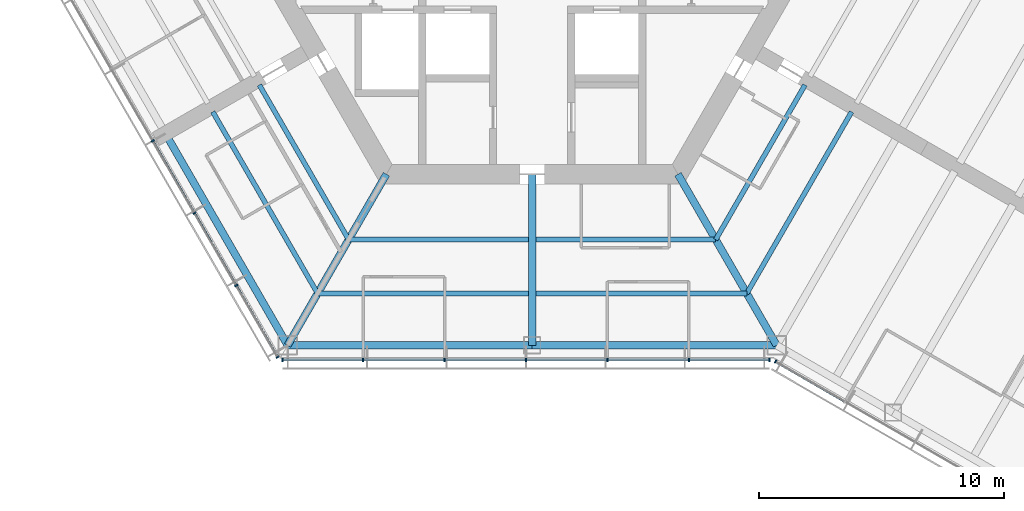
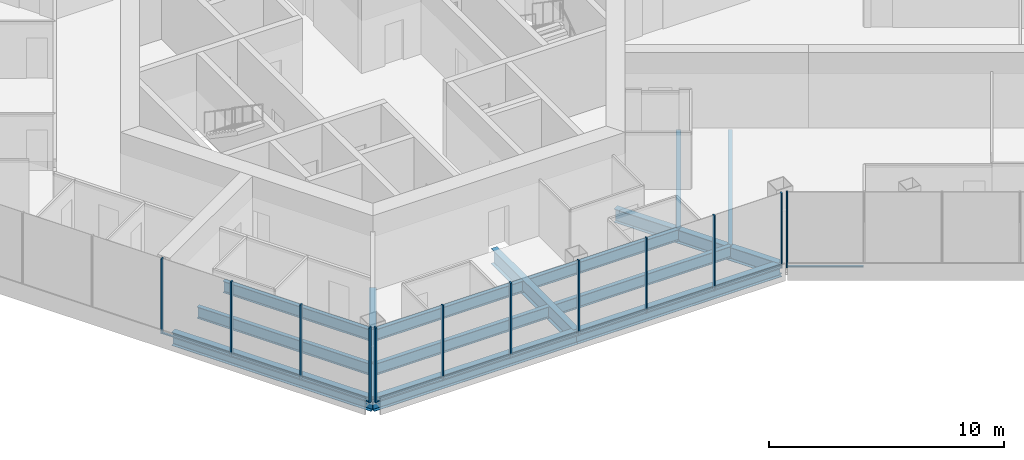
# One storey, part 2 of 17: 22 members, 14 beams, 3 elements without a shape of their own.
"""IFC4 building model written with IfcOpenShell, lengths in metres."""

from ifc_helpers import new_model, si_unit, direction, frame, origin, origin_2d, place, context, subcontext, project, spatial, rectangle, i_section, extrude, material, material_profile, profile_set, type_object, element, aggregate, save


model = new_model("IFC4")

# Units and contexts
model_context = context("Model", 3, precision=1e-05, world=origin(), true_north=direction((0.0, 1.0)))
body_context = subcontext(model_context, "Body", "Model", "MODEL_VIEW")
ifc_project = project(units=[si_unit("LENGTHUNIT", "METRE"), si_unit("AREAUNIT", "SQUARE_METRE"), si_unit("VOLUMEUNIT", "CUBIC_METRE"), si_unit("PLANEANGLEUNIT", "RADIAN"), si_unit("MASSUNIT", "GRAM", prefix="KILO")], contexts=[model_context])

# Site, building, storey
site_placement = place(None, origin())
site = spatial("IfcSite", under=ifc_project, at=site_placement, CompositionType="ELEMENT")
building_placement = place(site_placement, origin())
building = spatial("IfcBuilding", under=site, at=building_placement, Name="Kasaneha Research Tower", CompositionType="ELEMENT")
storey_placement = place(building_placement, frame((0.0, 0.0, 232.300048828125)))
storey = spatial("IfcBuildingStorey", under=building, at=storey_placement, Name="L58", CompositionType="ELEMENT", Elevation=232.300048828125)

# Beams
ifc_material_1 = material(Name="Steel SN490B", Category="steel")
ifc_material_profile_1 = material_profile(ifc_material_1, i_section(OverallWidth=0.199951171875, OverallDepth=0.60009765625, WebThickness=0.010986328125, FlangeThickness=0.01708984375, FilletRadius=0.012939453125, at=origin_2d()), Name="H-600x200x11x17")
ifc_profile_set_1 = profile_set([ifc_material_profile_1], Name="Steel SN490B")
beam_type_1 = type_object("IfcBeamType", Name="B1-3 secondary beam H-600x200x11x17", PredefinedType="JOIST", material=ifc_profile_set_1)
beam_1_placement = place(storey_placement, frame((-7.505615234375, -13.0, -0.449951171875), z_axis=(-0.499999192304, 0.866025870108, 0.0), x_axis=(-0.866025870108, -0.499999192304, 0.0)))
element("IfcBeam", 1, at=beam_1_placement, inside=storey, type_object=beam_type_1, Name="Secondary beam RS210R1 L58", PredefinedType="JOIST", context=body_context, shape_type="SweptSolid", body=[
    extrude(i_section(OverallWidth=0.199951171875, OverallDepth=0.60009765625, WebThickness=0.010986328125, FlangeThickness=0.01708984375, FilletRadius=0.012939453125, at=origin_2d()), origin(), (0.0, 0.0, 1.0), 7.3056640625),
])
beam_2_placement = place(storey_placement, frame((-8.775634765625, -15.199951171875, -0.449951171875), z_axis=(-0.500000102728, 0.866025344474, 0.0), x_axis=(-0.866025344474, -0.500000102728, 0.0)))
element("IfcBeam", 2, at=beam_2_placement, inside=storey, type_object=beam_type_1, Name="Secondary beam RS210R2 L58", PredefinedType="JOIST", context=body_context, shape_type="SweptSolid", body=[
    extrude(i_section(OverallWidth=0.199951171875, OverallDepth=0.60009765625, WebThickness=0.010986328125, FlangeThickness=0.01708984375, FilletRadius=0.012939453125, at=origin_2d()), origin(), (0.0, 0.0, 1.0), 8.57568359375),
])
beam_3_placement = place(storey_placement, frame((-7.505615234375, -13.0, -0.449951171875), z_axis=(1.0, 0.0, 0.0), x_axis=(0.0, 1.0, 0.0)))
element("IfcBeam", 3, at=beam_3_placement, inside=storey, type_object=beam_type_1, Name="Secondary beam RS270L1 L58", PredefinedType="JOIST", context=body_context, shape_type="SweptSolid", body=[
    extrude(i_section(OverallWidth=0.199951171875, OverallDepth=0.60009765625, WebThickness=0.010986328125, FlangeThickness=0.01708984375, FilletRadius=0.012939453125, at=origin_2d()), origin(), (0.0, 0.0, 1.0), 7.355712890625),
])
beam_4_placement = place(storey_placement, frame((-8.775634765625, -15.199951171875, -0.449951171875), z_axis=(1.0, 0.0, 0.0), x_axis=(0.0, 1.0, 0.0)))
element("IfcBeam", 4, at=beam_4_placement, inside=storey, type_object=beam_type_1, Name="Secondary beam RS270L2 L58", PredefinedType="JOIST", context=body_context, shape_type="SweptSolid", body=[
    extrude(i_section(OverallWidth=0.199951171875, OverallDepth=0.60009765625, WebThickness=0.010986328125, FlangeThickness=0.01708984375, FilletRadius=0.012939453125, at=origin_2d()), origin(), (0.0, 0.0, 1.0), 8.625732421875),
])
beam_5_placement = place(storey_placement, frame((7.505615234375, -13.0, -0.449951171875), z_axis=(-1.0, 0.0, 0.0), x_axis=(0.0, -1.0, 0.0)))
element("IfcBeam", 5, at=beam_5_placement, inside=storey, type_object=beam_type_1, Name="Secondary beam RS270R1 L58", PredefinedType="JOIST", context=body_context, shape_type="SweptSolid", body=[
    extrude(i_section(OverallWidth=0.199951171875, OverallDepth=0.60009765625, WebThickness=0.010986328125, FlangeThickness=0.01708984375, FilletRadius=0.012939453125, at=origin_2d()), origin(), (0.0, 0.0, 1.0), 7.355712890625),
])
beam_6_placement = place(storey_placement, frame((8.775634765625, -15.199951171875, -0.449951171875), z_axis=(-1.0, 0.0, 0.0), x_axis=(0.0, -1.0, 0.0)))
element("IfcBeam", 6, at=beam_6_placement, inside=storey, type_object=beam_type_1, Name="Secondary beam RS270R2 L58", PredefinedType="JOIST", context=body_context, shape_type="SweptSolid", body=[
    extrude(i_section(OverallWidth=0.199951171875, OverallDepth=0.60009765625, WebThickness=0.010986328125, FlangeThickness=0.01708984375, FilletRadius=0.012939453125, at=origin_2d()), origin(), (0.0, 0.0, 1.0), 8.625732421875),
])
beam_7_placement = place(storey_placement, frame((7.505615234375, -13.0, -0.449951171875), z_axis=(0.499999192304, 0.866025870108, 0.0), x_axis=(-0.866025870108, 0.499999192304, 0.0)))
element("IfcBeam", 7, at=beam_7_placement, inside=storey, type_object=beam_type_1, Name="Secondary beam RS330L1 L58", PredefinedType="JOIST", context=body_context, shape_type="SweptSolid", body=[
    extrude(i_section(OverallWidth=0.199951171875, OverallDepth=0.60009765625, WebThickness=0.010986328125, FlangeThickness=0.01708984375, FilletRadius=0.012939453125, at=origin_2d()), origin(), (0.0, 0.0, 1.0), 7.3056640625),
])
beam_8_placement = place(storey_placement, frame((8.775634765625, -15.199951171875, -0.449951171875), z_axis=(0.500000102728, 0.866025344474, 0.0), x_axis=(-0.866025344474, 0.500000102728, 0.0)))
element("IfcBeam", 8, at=beam_8_placement, inside=storey, type_object=beam_type_1, Name="Secondary beam RS330L2 L58", PredefinedType="JOIST", context=body_context, shape_type="SweptSolid", body=[
    extrude(i_section(OverallWidth=0.199951171875, OverallDepth=0.60009765625, WebThickness=0.010986328125, FlangeThickness=0.01708984375, FilletRadius=0.012939453125, at=origin_2d()), origin(), (0.0, 0.0, 1.0), 8.57568359375),
])

# Curtain wall, members
ifc_material_2 = material(Name="Glass and aluminium", Category="aluminium")
curtain_wall_type = type_object("IfcCurtainWallType", Name="High-rise office curtain wall", PredefinedType="USERDEFINED", material=ifc_material_2)
curtain_wall_1_placement = place(storey_placement, origin())
curtain_wall_1 = element("IfcCurtainWall", 9, at=curtain_wall_1_placement, inside=storey, type_object=curtain_wall_type, Name="CW-O3 L58 run 04a", ObjectType="UNITISED CURTAIN WALL", PredefinedType="USERDEFINED")
ifc_material_3 = material(Name="Aluminium 6063-T6", Category="aluminium")
ifc_material_profile_2 = material_profile(ifc_material_3, rectangle(XDim=0.06005859375, YDim=0.139892578125, at=origin_2d()), Name="CW-O3 mullion 60x140")
ifc_profile_set_2 = profile_set([ifc_material_profile_2], Name="Aluminium 6063-T6")
member_type_1 = type_object("IfcMemberType", Name="CW-O3 mullion", PredefinedType="MULLION", material=ifc_profile_set_2)
member_1_placement = place(storey_placement, frame((-15.51953125, -8.960205078125, 0.0), z_axis=(0.0, 0.0, 1.0), x_axis=(0.499999995722, -0.866025406254, 0.0)))
member_1 = element("IfcMember", 10, at=member_1_placement, type_object=member_type_1, Name="CW-O3 mullion 4", PredefinedType="MULLION", context=body_context, shape_type="SweptSolid", body=[
    extrude(rectangle(XDim=0.06005859375, YDim=0.139892578125, at=origin_2d()), origin(), (0.0, 0.0, 1.0), 3.89990234375),
])
member_2_placement = place(storey_placement, frame((-13.811767578125, -11.918212890625, 0.0), z_axis=(0.0, 0.0, 1.0), x_axis=(0.499999995722, -0.866025406254, 0.0)))
member_2 = element("IfcMember", 11, at=member_2_placement, type_object=member_type_1, Name="CW-O3 mullion 5", PredefinedType="MULLION", context=body_context, shape_type="SweptSolid", body=[
    extrude(rectangle(XDim=0.06005859375, YDim=0.139892578125, at=origin_2d()), origin(), (0.0, 0.0, 1.0), 3.89990234375),
])
member_3_placement = place(storey_placement, frame((-12.104248046875, -14.8759765625, 0.0), z_axis=(0.0, 0.0, 1.0), x_axis=(0.499999995722, -0.866025406254, 0.0)))
member_3 = element("IfcMember", 12, at=member_3_placement, type_object=member_type_1, Name="CW-O3 mullion 6", PredefinedType="MULLION", context=body_context, shape_type="SweptSolid", body=[
    extrude(rectangle(XDim=0.06005859375, YDim=0.139892578125, at=origin_2d()), origin(), (0.0, 0.0, 1.0), 3.89990234375),
])
member_4_placement = place(storey_placement, frame((-10.411376953125, -17.807861328125, 0.0), z_axis=(0.0, 0.0, 1.0), x_axis=(0.499999995722, -0.866025406254, 0.0)))
member_4 = element("IfcMember", 13, at=member_4_placement, type_object=member_type_1, Name="CW-O3 mullion 7", PredefinedType="MULLION", context=body_context, shape_type="SweptSolid", body=[
    extrude(rectangle(XDim=0.06005859375, YDim=0.139892578125, at=origin_2d()), origin(), (0.0, 0.0, 1.0), 3.89990234375),
])

curtain_wall_2_placement = place(storey_placement, origin())
curtain_wall_2 = element("IfcCurtainWall", 14, at=curtain_wall_2_placement, inside=storey, type_object=curtain_wall_type, Name="CW-O3 L58 run 05a", ObjectType="UNITISED CURTAIN WALL", PredefinedType="USERDEFINED")
member_5_placement = place(storey_placement, frame((-10.21630859375, -17.92041015625, 0.0), z_axis=(0.0, 0.0, 1.0), x_axis=(1.0, 0.0, 0.0)))
member_5 = element("IfcMember", 15, at=member_5_placement, type_object=member_type_1, Name="CW-O3 mullion 1", PredefinedType="MULLION", context=body_context, shape_type="SweptSolid", body=[
    extrude(rectangle(XDim=0.06005859375, YDim=0.139892578125, at=origin_2d()), origin(), (0.0, 0.0, 1.0), 3.89990234375),
])
member_6_placement = place(storey_placement, frame((-6.91552734375, -17.92041015625, 0.0), z_axis=(0.0, 0.0, 1.0), x_axis=(1.0, 0.0, 0.0)))
member_6 = element("IfcMember", 16, at=member_6_placement, type_object=member_type_1, Name="CW-O3 mullion 2", PredefinedType="MULLION", context=body_context, shape_type="SweptSolid", body=[
    extrude(rectangle(XDim=0.06005859375, YDim=0.139892578125, at=origin_2d()), origin(), (0.0, 0.0, 1.0), 3.89990234375),
])
member_7_placement = place(storey_placement, frame((-3.58447265625, -17.92041015625, 0.0), z_axis=(0.0, 0.0, 1.0), x_axis=(1.0, 0.0, 0.0)))
member_7 = element("IfcMember", 17, at=member_7_placement, type_object=member_type_1, Name="CW-O3 mullion 3", PredefinedType="MULLION", context=body_context, shape_type="SweptSolid", body=[
    extrude(rectangle(XDim=0.06005859375, YDim=0.139892578125, at=origin_2d()), origin(), (0.0, 0.0, 1.0), 3.89990234375),
])
member_8_placement = place(storey_placement, frame((-0.253662109375, -17.92041015625, 0.0), z_axis=(0.0, 0.0, 1.0), x_axis=(1.0, 0.0, 0.0)))
member_8 = element("IfcMember", 18, at=member_8_placement, type_object=member_type_1, Name="CW-O3 mullion 4", PredefinedType="MULLION", context=body_context, shape_type="SweptSolid", body=[
    extrude(rectangle(XDim=0.06005859375, YDim=0.139892578125, at=origin_2d()), origin(), (0.0, 0.0, 1.0), 3.89990234375),
])
member_9_placement = place(storey_placement, frame((3.077392578125, -17.92041015625, 0.0), z_axis=(0.0, 0.0, 1.0), x_axis=(1.0, 0.0, 0.0)))
member_9 = element("IfcMember", 19, at=member_9_placement, type_object=member_type_1, Name="CW-O3 mullion 5", PredefinedType="MULLION", context=body_context, shape_type="SweptSolid", body=[
    extrude(rectangle(XDim=0.06005859375, YDim=0.139892578125, at=origin_2d()), origin(), (0.0, 0.0, 1.0), 3.89990234375),
])
member_10_placement = place(storey_placement, frame((6.408203125, -17.92041015625, 0.0), z_axis=(0.0, 0.0, 1.0), x_axis=(1.0, 0.0, 0.0)))
member_10 = element("IfcMember", 20, at=member_10_placement, type_object=member_type_1, Name="CW-O3 mullion 6", PredefinedType="MULLION", context=body_context, shape_type="SweptSolid", body=[
    extrude(rectangle(XDim=0.06005859375, YDim=0.139892578125, at=origin_2d()), origin(), (0.0, 0.0, 1.0), 3.89990234375),
])
member_11_placement = place(storey_placement, frame((9.709228515625, -17.92041015625, 0.0), z_axis=(0.0, 0.0, 1.0), x_axis=(1.0, 0.0, 0.0)))
member_11 = element("IfcMember", 21, at=member_11_placement, type_object=member_type_1, Name="CW-O3 mullion 7", PredefinedType="MULLION", context=body_context, shape_type="SweptSolid", body=[
    extrude(rectangle(XDim=0.06005859375, YDim=0.139892578125, at=origin_2d()), origin(), (0.0, 0.0, 1.0), 3.89990234375),
])

# Curtain wall, member
curtain_wall_3_placement = place(storey_placement, origin())
curtain_wall_3 = element("IfcCurtainWall", 22, at=curtain_wall_3_placement, inside=storey, type_object=curtain_wall_type, Name="CW-O3 L58 run 06a", ObjectType="UNITISED CURTAIN WALL", PredefinedType="USERDEFINED")
member_12_placement = place(storey_placement, frame((9.951904296875, -17.985595703125, 0.0), z_axis=(0.0, 0.0, 1.0), x_axis=(0.866025411464, -0.499999986699, 0.0)))
member_12 = element("IfcMember", 23, at=member_12_placement, type_object=member_type_1, Name="CW-O3 mullion 1", PredefinedType="MULLION", context=body_context, shape_type="SweptSolid", body=[
    extrude(rectangle(XDim=0.06005859375, YDim=0.139892578125, at=origin_2d()), origin(), (0.0, 0.0, 1.0), 3.89990234375),
])

# Member
ifc_material_4 = material(Name="Aluminium 6063-T6", Category="aluminium")
ifc_material_profile_3 = material_profile(ifc_material_4, rectangle(XDim=0.10009765625, YDim=0.06005859375, at=origin_2d()), Name="CW-O3 transom 100x60")
ifc_profile_set_3 = profile_set([ifc_material_profile_3], Name="Aluminium 6063-T6")
member_type_2 = type_object("IfcMemberType", Name="CW-O3 transom", PredefinedType="USERDEFINED", material=ifc_profile_set_3)
member_13_placement = place(storey_placement, frame((-15.504638671875, -8.986328125, 0.030029296875), z_axis=(0.500020578564, -0.866013522419, 0.0), x_axis=(0.866013522419, 0.500020578564, 0.0)))
member_13 = element("IfcMember", 24, at=member_13_placement, type_object=member_type_2, Name="CW-O3 transom 4", ObjectType="TRANSOM", PredefinedType="USERDEFINED", context=body_context, shape_type="SweptSolid", body=[
    extrude(rectangle(XDim=0.10009765625, YDim=0.06005859375, at=origin_2d()), origin(), (0.0, 0.0, 1.0), 3.355224609375),
])

member_14_placement = place(storey_placement, frame((-13.796875, -11.944091796875, 0.030029296875), z_axis=(0.499989072476, -0.866031712701, 0.0), x_axis=(0.866031712701, 0.499989072476, 0.0)))
member_14 = element("IfcMember", 25, at=member_14_placement, type_object=member_type_2, Name="CW-O3 transom 5", ObjectType="TRANSOM", PredefinedType="USERDEFINED", context=body_context, shape_type="SweptSolid", body=[
    extrude(rectangle(XDim=0.10009765625, YDim=0.06005859375, at=origin_2d()), origin(), (0.0, 0.0, 1.0), 3.35546875),
])

member_15_placement = place(storey_placement, frame((-12.089111328125, -14.902099609375, 0.030029296875), z_axis=(0.49997666526, -0.866038875684, 0.0), x_axis=(0.866038875684, 0.49997666526, 0.0)))
member_15 = element("IfcMember", 26, at=member_15_placement, type_object=member_type_2, Name="CW-O3 transom 6", ObjectType="TRANSOM", PredefinedType="USERDEFINED", context=body_context, shape_type="SweptSolid", body=[
    extrude(rectangle(XDim=0.10009765625, YDim=0.06005859375, at=origin_2d()), origin(), (0.0, 0.0, 1.0), 3.325439453125),
])

aggregate(curtain_wall_1, [member_1, member_2, member_3, member_4, member_13, member_14, member_15])

member_16_placement = place(storey_placement, frame((-10.1865234375, -17.92041015625, 0.030029296875), z_axis=(1.0, 0.0, 0.0), x_axis=(0.0, 1.0, 0.0)))
member_16 = element("IfcMember", 27, at=member_16_placement, type_object=member_type_2, Name="CW-O3 transom 1", ObjectType="TRANSOM", PredefinedType="USERDEFINED", context=body_context, shape_type="SweptSolid", body=[
    extrude(rectangle(XDim=0.10009765625, YDim=0.06005859375, at=origin_2d()), origin(), (0.0, 0.0, 1.0), 3.240966796875),
])

member_17_placement = place(storey_placement, frame((-6.885498046875, -17.92041015625, 0.030029296875), z_axis=(1.0, 0.0, 0.0), x_axis=(0.0, 1.0, 0.0)))
member_17 = element("IfcMember", 28, at=member_17_placement, type_object=member_type_2, Name="CW-O3 transom 2", ObjectType="TRANSOM", PredefinedType="USERDEFINED", context=body_context, shape_type="SweptSolid", body=[
    extrude(rectangle(XDim=0.10009765625, YDim=0.06005859375, at=origin_2d()), origin(), (0.0, 0.0, 1.0), 3.27099609375),
])

member_18_placement = place(storey_placement, frame((-3.554443359375, -17.92041015625, 0.030029296875), z_axis=(1.0, 0.0, 0.0), x_axis=(0.0, 1.0, 0.0)))
member_18 = element("IfcMember", 29, at=member_18_placement, type_object=member_type_2, Name="CW-O3 transom 3", ObjectType="TRANSOM", PredefinedType="USERDEFINED", context=body_context, shape_type="SweptSolid", body=[
    extrude(rectangle(XDim=0.10009765625, YDim=0.06005859375, at=origin_2d()), origin(), (0.0, 0.0, 1.0), 3.270751953125),
])

member_19_placement = place(storey_placement, frame((-0.2236328125, -17.92041015625, 0.030029296875), z_axis=(1.0, 0.0, 0.0), x_axis=(0.0, 1.0, 0.0)))
member_19 = element("IfcMember", 30, at=member_19_placement, type_object=member_type_2, Name="CW-O3 transom 4", ObjectType="TRANSOM", PredefinedType="USERDEFINED", context=body_context, shape_type="SweptSolid", body=[
    extrude(rectangle(XDim=0.10009765625, YDim=0.06005859375, at=origin_2d()), origin(), (0.0, 0.0, 1.0), 3.27099609375),
])

member_20_placement = place(storey_placement, frame((3.107421875, -17.92041015625, 0.030029296875), z_axis=(1.0, 0.0, 0.0), x_axis=(0.0, 1.0, 0.0)))
member_20 = element("IfcMember", 31, at=member_20_placement, type_object=member_type_2, Name="CW-O3 transom 5", ObjectType="TRANSOM", PredefinedType="USERDEFINED", context=body_context, shape_type="SweptSolid", body=[
    extrude(rectangle(XDim=0.10009765625, YDim=0.06005859375, at=origin_2d()), origin(), (0.0, 0.0, 1.0), 3.270751953125),
])

member_21_placement = place(storey_placement, frame((6.438232421875, -17.92041015625, 0.030029296875), z_axis=(1.0, 0.0, 0.0), x_axis=(0.0, 1.0, 0.0)))
member_21 = element("IfcMember", 32, at=member_21_placement, type_object=member_type_2, Name="CW-O3 transom 6", ObjectType="TRANSOM", PredefinedType="USERDEFINED", context=body_context, shape_type="SweptSolid", body=[
    extrude(rectangle(XDim=0.10009765625, YDim=0.06005859375, at=origin_2d()), origin(), (0.0, 0.0, 1.0), 3.240966796875),
])

aggregate(curtain_wall_2, [member_5, member_6, member_7, member_8, member_9, member_10, member_11, member_16, member_17, member_18, member_19, member_20, member_21])

member_22_placement = place(storey_placement, frame((9.977783203125, -18.00048828125, 0.030029296875), z_axis=(0.866022692473, -0.500004696101, 0.0), x_axis=(0.500004696101, 0.866022692473, 0.0)))
member_22 = element("IfcMember", 33, at=member_22_placement, type_object=member_type_2, Name="CW-O3 transom 1", ObjectType="TRANSOM", PredefinedType="USERDEFINED", context=body_context, shape_type="SweptSolid", body=[
    extrude(rectangle(XDim=0.10009765625, YDim=0.06005859375, at=origin_2d()), origin(), (0.0, 0.0, 1.0), 3.2197265625),
])

aggregate(curtain_wall_3, [member_12, member_22])

# Beams
ifc_material_5 = material(Name="Steel SN490B", Category="steel")
ifc_material_profile_4 = material_profile(ifc_material_5, i_section(OverallWidth=0.300048828125, OverallDepth=0.699951171875, WebThickness=0.012939453125, FlangeThickness=0.02392578125, FilletRadius=0.01806640625, at=origin_2d()), Name="H-700x300x13x24")
ifc_profile_set_4 = profile_set([ifc_material_profile_4], Name="Steel SN490B")
beam_type_2 = type_object("IfcBeamType", Name="G1-3 radial girder H-700x300x13x24", PredefinedType="BEAM", material=ifc_profile_set_4)
for number, where, z_axis, x_axis, name in (
    (34, (-5.961181640625, -10.324951171875, -0.5), (-0.49999105496, -0.866030568144, 0.0), (0.866030568144, -0.49999105496, 0.0), "Radial girder RV240 L58"),
    (35, (5.961181640625, -10.324951171875, -0.5), (0.49999105496, -0.866030568144, 0.0), (0.866030568144, 0.49999105496, 0.0), "Radial girder RV300 L58"),
):
    element("IfcBeam", number, at=place(storey_placement, frame(where, z_axis=z_axis, x_axis=x_axis)), inside=storey, type_object=beam_type_2, Name=name, PredefinedType="BEAM", context=body_context, shape_type="SweptSolid", body=[
        extrude(i_section(OverallWidth=0.300048828125, OverallDepth=0.699951171875, WebThickness=0.012939453125, FlangeThickness=0.02392578125, FilletRadius=0.01806640625, at=origin_2d()), origin(), (0.0, 0.0, 1.0), 8.077880859375),
    ])
ifc_material_6 = material(Name="Steel SN490B", Category="steel")
ifc_material_profile_5 = material_profile(ifc_material_6, i_section(OverallWidth=0.300048828125, OverallDepth=0.800048828125, WebThickness=0.013916015625, FlangeThickness=0.02587890625, FilletRadius=0.01806640625, at=origin_2d()), Name="H-800x300x14x26")
ifc_profile_set_5 = profile_set([ifc_material_profile_5], Name="Steel SN490B")
beam_type_3 = type_object("IfcBeamType", Name="G2-3 radial girder H-800x300x14x26", PredefinedType="BEAM", material=ifc_profile_set_5)
beam_9_placement = place(storey_placement, frame((0.0, -10.324951171875, -0.550048828125), z_axis=(0.0, -1.0, 0.0), x_axis=(1.0, 0.0, 0.0)))
element("IfcBeam", 36, at=beam_9_placement, inside=storey, type_object=beam_type_3, Name="Radial girder RM270 L58", PredefinedType="BEAM", context=body_context, shape_type="SweptSolid", body=[
    extrude(i_section(OverallWidth=0.300048828125, OverallDepth=0.800048828125, WebThickness=0.013916015625, FlangeThickness=0.02587890625, FilletRadius=0.01806640625, at=origin_2d()), origin(), (0.0, 0.0, 1.0), 6.99560546875),
])
ifc_material_7 = material(Name="Steel SN490B", Category="steel")
ifc_material_profile_6 = material_profile(ifc_material_7, i_section(OverallWidth=0.300048828125, OverallDepth=0.69189453125, WebThickness=0.012939453125, FlangeThickness=0.02001953125, FilletRadius=0.01806640625, at=origin_2d()), Name="H-692x300x13x20")
ifc_profile_set_6 = profile_set([ifc_material_profile_6], Name="Steel SN490B")
beam_type_4 = type_object("IfcBeamType", Name="G3-3 plate edge girder H-692x300x13x20", PredefinedType="BEAM", material=ifc_profile_set_6)
beam_10_placement = place(storey_placement, frame((-10.0, -17.320556640625, -0.49609375), z_axis=(-0.49999201416, 0.866030014362, 0.0), x_axis=(-0.866030014362, -0.49999201416, 0.0)))
element("IfcBeam", 37, at=beam_10_placement, inside=storey, type_object=beam_type_4, Name="Plate edge girder PEBN L58", PredefinedType="BEAM", context=body_context, shape_type="SweptSolid", body=[
    extrude(i_section(OverallWidth=0.300048828125, OverallDepth=0.69189453125, WebThickness=0.012939453125, FlangeThickness=0.02001953125, FilletRadius=0.01806640625, at=origin_2d()), origin(), (0.0, 0.0, 1.0), 9.800048828125),
])
ifc_material_8 = material(Name="Steel SN490B", Category="steel")
ifc_material_profile_7 = material_profile(ifc_material_8, i_section(OverallWidth=0.300048828125, OverallDepth=0.69189453125, WebThickness=0.012939453125, FlangeThickness=0.02001953125, FilletRadius=0.01806640625, at=origin_2d()), Name="H-692x300x13x20")
ifc_profile_set_7 = profile_set([ifc_material_profile_7], Name="Steel SN490B")
beam_type_5 = type_object("IfcBeamType", Name="SB1-3 spandrel beam H-692x300x13x20", PredefinedType="SPANDREL", material=ifc_profile_set_7)
for number, where, z_axis, x_axis, name in (
    (38, (-10.0, -17.320556640625, -0.49609375), (1.0, 0.0, 0.0), (0.0, 1.0, 0.0), "Spandrel beam SR270L L58"),
    (39, (10.0, -17.320556640625, -0.49609375), (-1.0, 0.0, 0.0), (0.0, -1.0, 0.0), "Spandrel beam SR270R L58"),
):
    element("IfcBeam", number, at=place(storey_placement, frame(where, z_axis=z_axis, x_axis=x_axis)), inside=storey, type_object=beam_type_5, Name=name, PredefinedType="SPANDREL", context=body_context, shape_type="SweptSolid", body=[
        extrude(i_section(OverallWidth=0.300048828125, OverallDepth=0.69189453125, WebThickness=0.012939453125, FlangeThickness=0.02001953125, FilletRadius=0.01806640625, at=origin_2d()), origin(), (0.0, 0.0, 1.0), 10.0),
    ])

save(model, "model.ifc")
